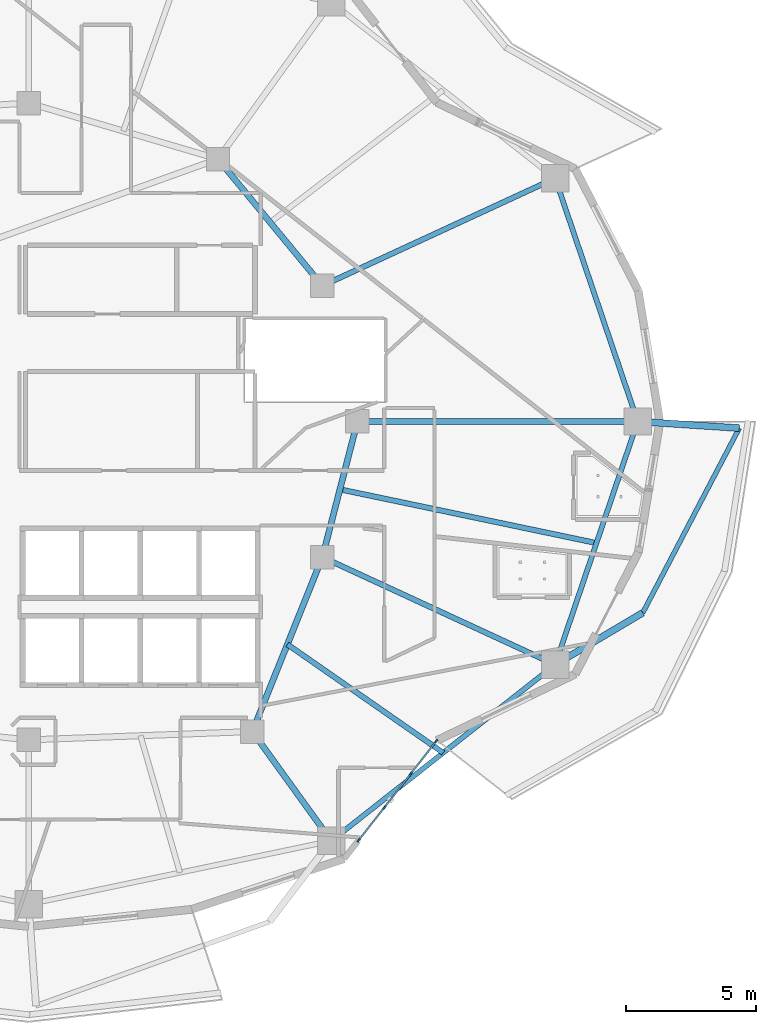
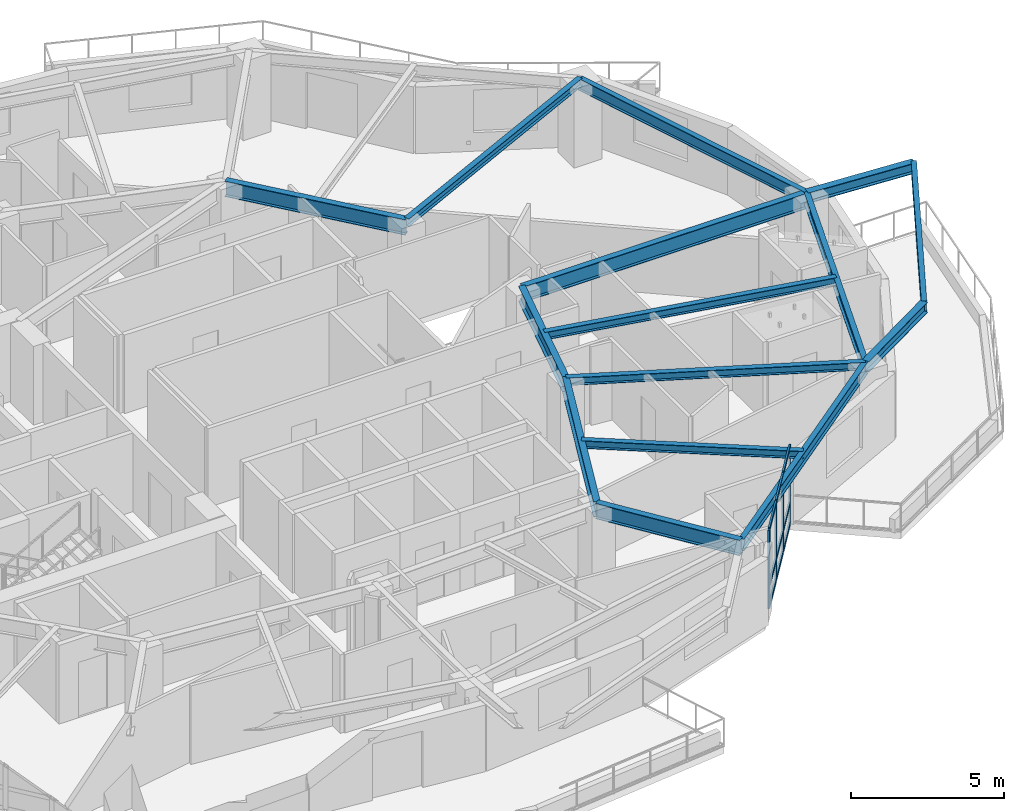
# One storey, part 4 of 18: 15 beams, 13 members, 1 element without a shape of its own.
"""IFC4 building model written with IfcOpenShell, lengths in metres."""

from ifc_helpers import new_model, si_unit, direction, frame, origin, origin_2d, place, context, subcontext, project, spatial, rectangle, i_section, extrude, material, layer, layer_set, material_profile, profile_set, type_object, element, aggregate, save


model = new_model("IFC4")

# Units and contexts
model_context = context("Model", 3, precision=1e-05, world=origin(), true_north=direction((0.0, 1.0)))
body_context = subcontext(model_context, "Body", "Model", "MODEL_VIEW")
ifc_project = project(units=[si_unit("LENGTHUNIT", "METRE"), si_unit("AREAUNIT", "SQUARE_METRE"), si_unit("VOLUMEUNIT", "CUBIC_METRE"), si_unit("PLANEANGLEUNIT", "RADIAN"), si_unit("MASSUNIT", "GRAM", prefix="KILO")], contexts=[model_context])

# Site, building, storey
site_placement = place(None, origin())
site = spatial("IfcSite", under=ifc_project, at=site_placement, CompositionType="ELEMENT")
building_placement = place(site_placement, origin())
building = spatial("IfcBuilding", under=site, at=building_placement, Name="Kolvaren Gate Tower and Convention Centre", CompositionType="ELEMENT")
storey_placement = place(building_placement, frame((0.0, 0.0, 115.5)))
storey = spatial("IfcBuildingStorey", under=building, at=storey_placement, Name="L28", CompositionType="ELEMENT", Elevation=115.5)

# Curtain wall, members
ifc_material_1 = material(Name="Anodized Architectural Aluminium Alloy 6063-T6", Category="aluminium")
ifc_layer = layer(ifc_material_1, 0.159912109375)
ifc_layer_set = layer_set([ifc_layer], Name="Anodized Architectural Aluminium Alloy 6063-T6")
curtain_wall_type = type_object("IfcCurtainWallType", Name="CW-HTL-UNIT", PredefinedType="NOTDEFINED", material=ifc_layer_set)
curtain_wall_placement = place(storey_placement, origin())
curtain_wall = element("IfcCurtainWall", 1, at=curtain_wall_placement, inside=storey, type_object=curtain_wall_type, Name="Tower L28 Unitised Curtain Wall CW-HTL-UNIT Bay 20", PredefinedType="NOTDEFINED")
ifc_material_profile_1 = material_profile(ifc_material_1, rectangle(XDim=0.06494140625, YDim=0.159912109375, at=origin_2d()), Name="CW-MEM-MUL-160")
ifc_profile_set_1 = profile_set([ifc_material_profile_1], Name="Anodized Architectural Aluminium Alloy 6063-T6")
member_type_1 = type_object("IfcMemberType", Name="CW-MEM-MUL-160", PredefinedType="MULLION", material=ifc_profile_set_1)
member_1_placement = place(storey_placement, frame((42.77880859375, 10.957763671875, 0.0), z_axis=(0.0, 0.0, 1.0), x_axis=(-0.787412940513, 0.616425876414, 0.0)))
member_1 = element("IfcMember", 2, at=member_1_placement, type_object=member_type_1, Name="CW-03 mullion 1", PredefinedType="MULLION", context=body_context, shape_type="SweptSolid", body=[
    extrude(rectangle(XDim=0.06494140625, YDim=0.159912109375, at=origin_2d()), origin(), (0.0, 0.0, 1.0), 3.1298828125),
])
member_2_placement = place(storey_placement, frame((43.76220703125, 12.2138671875, 0.0), z_axis=(0.0, 0.0, 1.0), x_axis=(-0.787412940513, 0.616425876414, 0.0)))
member_2 = element("IfcMember", 3, at=member_2_placement, type_object=member_type_1, Name="CW-03 mullion 2", PredefinedType="MULLION", context=body_context, shape_type="SweptSolid", body=[
    extrude(rectangle(XDim=0.06494140625, YDim=0.159912109375, at=origin_2d()), origin(), (0.0, 0.0, 1.0), 3.1298828125),
])
member_3_placement = place(storey_placement, frame((44.765380859375, 13.495361328125, 0.0), z_axis=(0.0, 0.0, 1.0), x_axis=(-0.787412940513, 0.616425876414, 0.0)))
member_3 = element("IfcMember", 4, at=member_3_placement, type_object=member_type_1, Name="CW-03 mullion 3", PredefinedType="MULLION", context=body_context, shape_type="SweptSolid", body=[
    extrude(rectangle(XDim=0.06494140625, YDim=0.159912109375, at=origin_2d()), origin(), (0.0, 0.0, 1.0), 3.1298828125),
])
member_4_placement = place(storey_placement, frame((45.748779296875, 14.75146484375, 0.0), z_axis=(0.0, 0.0, 1.0), x_axis=(-0.787412940513, 0.616425876414, 0.0)))
member_4 = element("IfcMember", 5, at=member_4_placement, type_object=member_type_1, Name="CW-03 mullion 4", PredefinedType="MULLION", context=body_context, shape_type="SweptSolid", body=[
    extrude(rectangle(XDim=0.06494140625, YDim=0.159912109375, at=origin_2d()), origin(), (0.0, 0.0, 1.0), 3.1298828125),
])
ifc_material_profile_2 = material_profile(ifc_material_1, rectangle(XDim=0.06494140625, YDim=0.159912109375, at=origin_2d()), Name="CW-MEM-TRN-160")
ifc_profile_set_2 = profile_set([ifc_material_profile_2], Name="Anodized Architectural Aluminium Alloy 6063-T6")
member_type_2 = type_object("IfcMemberType", Name="CW-MEM-TRN-160", PredefinedType="USERDEFINED", material=ifc_profile_set_2)
member_5_placement = place(storey_placement, frame((42.798828125, 10.9833984375, 0.032470703125), z_axis=(0.616488928006, 0.78736357653, 0.0), x_axis=(-0.78736357653, 0.616488928006, 0.0)))
member_5 = element("IfcMember", 6, at=member_5_placement, type_object=member_type_2, Name="CW-03 transom 1.1", ObjectType="TRANSOM", PredefinedType="USERDEFINED", context=body_context, shape_type="SweptSolid", body=[
    extrude(rectangle(XDim=0.06494140625, YDim=0.159912109375, at=origin_2d()), origin(), (0.0, 0.0, 1.0), 1.5302734375),
])
member_6_placement = place(storey_placement, frame((42.798828125, 10.9833984375, 0.85009765625), z_axis=(0.616488928006, 0.78736357653, 0.0), x_axis=(-0.78736357653, 0.616488928006, 0.0)))
member_6 = element("IfcMember", 7, at=member_6_placement, type_object=member_type_2, Name="CW-03 transom 1.2", ObjectType="TRANSOM", PredefinedType="USERDEFINED", context=body_context, shape_type="SweptSolid", body=[
    extrude(rectangle(XDim=0.06494140625, YDim=0.159912109375, at=origin_2d()), origin(), (0.0, 0.0, 1.0), 1.5302734375),
])
member_7_placement = place(storey_placement, frame((42.798828125, 10.9833984375, 3.097412109375), z_axis=(0.616488928006, 0.78736357653, 0.0), x_axis=(-0.78736357653, 0.616488928006, 0.0)))
member_7 = element("IfcMember", 8, at=member_7_placement, type_object=member_type_2, Name="CW-03 transom 1.3", ObjectType="TRANSOM", PredefinedType="USERDEFINED", context=body_context, shape_type="SweptSolid", body=[
    extrude(rectangle(XDim=0.06494140625, YDim=0.159912109375, at=origin_2d()), origin(), (0.0, 0.0, 1.0), 1.5302734375),
])
member_8_placement = place(storey_placement, frame((43.7822265625, 12.239501953125, 0.032470703125), z_axis=(0.616447292669, 0.787396174337, 0.0), x_axis=(-0.787396174337, 0.616447292669, 0.0)))
member_8 = element("IfcMember", 9, at=member_8_placement, type_object=member_type_2, Name="CW-03 transom 2.1", ObjectType="TRANSOM", PredefinedType="USERDEFINED", context=body_context, shape_type="SweptSolid", body=[
    extrude(rectangle(XDim=0.06494140625, YDim=0.159912109375, at=origin_2d()), origin(), (0.0, 0.0, 1.0), 1.5625),
])
member_9_placement = place(storey_placement, frame((43.7822265625, 12.239501953125, 0.85009765625), z_axis=(0.616447292669, 0.787396174337, 0.0), x_axis=(-0.787396174337, 0.616447292669, 0.0)))
member_9 = element("IfcMember", 10, at=member_9_placement, type_object=member_type_2, Name="CW-03 transom 2.2", ObjectType="TRANSOM", PredefinedType="USERDEFINED", context=body_context, shape_type="SweptSolid", body=[
    extrude(rectangle(XDim=0.06494140625, YDim=0.159912109375, at=origin_2d()), origin(), (0.0, 0.0, 1.0), 1.5625),
])
member_10_placement = place(storey_placement, frame((43.7822265625, 12.239501953125, 3.097412109375), z_axis=(0.616447292669, 0.787396174337, 0.0), x_axis=(-0.787396174337, 0.616447292669, 0.0)))
member_10 = element("IfcMember", 11, at=member_10_placement, type_object=member_type_2, Name="CW-03 transom 2.3", ObjectType="TRANSOM", PredefinedType="USERDEFINED", context=body_context, shape_type="SweptSolid", body=[
    extrude(rectangle(XDim=0.06494140625, YDim=0.159912109375, at=origin_2d()), origin(), (0.0, 0.0, 1.0), 1.5625),
])
member_11_placement = place(storey_placement, frame((44.785400390625, 13.52099609375, 0.032470703125), z_axis=(0.61639000373, 0.78744102211, 0.0), x_axis=(-0.78744102211, 0.61639000373, 0.0)))
member_11 = element("IfcMember", 12, at=member_11_placement, type_object=member_type_2, Name="CW-03 transom 3.1", ObjectType="TRANSOM", PredefinedType="USERDEFINED", context=body_context, shape_type="SweptSolid", body=[
    extrude(rectangle(XDim=0.06494140625, YDim=0.159912109375, at=origin_2d()), origin(), (0.0, 0.0, 1.0), 1.530029296875),
])
member_12_placement = place(storey_placement, frame((44.785400390625, 13.52099609375, 0.85009765625), z_axis=(0.61639000373, 0.78744102211, 0.0), x_axis=(-0.78744102211, 0.61639000373, 0.0)))
member_12 = element("IfcMember", 13, at=member_12_placement, type_object=member_type_2, Name="CW-03 transom 3.2", ObjectType="TRANSOM", PredefinedType="USERDEFINED", context=body_context, shape_type="SweptSolid", body=[
    extrude(rectangle(XDim=0.06494140625, YDim=0.159912109375, at=origin_2d()), origin(), (0.0, 0.0, 1.0), 1.530029296875),
])
member_13_placement = place(storey_placement, frame((44.785400390625, 13.52099609375, 3.097412109375), z_axis=(0.61639000373, 0.78744102211, 0.0), x_axis=(-0.78744102211, 0.61639000373, 0.0)))
member_13 = element("IfcMember", 14, at=member_13_placement, type_object=member_type_2, Name="CW-03 transom 3.3", ObjectType="TRANSOM", PredefinedType="USERDEFINED", context=body_context, shape_type="SweptSolid", body=[
    extrude(rectangle(XDim=0.06494140625, YDim=0.159912109375, at=origin_2d()), origin(), (0.0, 0.0, 1.0), 1.530029296875),
])
aggregate(curtain_wall, [member_1, member_2, member_3, member_4, member_5, member_6, member_7, member_8, member_9, member_10, member_11, member_12, member_13])

# Beams
ifc_material_2 = material(Name="Structural steel ASTM A992 Grade 345 MPa", Category="steel")
ifc_material_profile_3 = material_profile(ifc_material_2, i_section(OverallWidth=0.260009765625, OverallDepth=0.419921875, WebThickness=0.013427734375, FlangeThickness=0.0224609375, at=origin_2d()), Name="W410X132")
ifc_profile_set_3 = profile_set([ifc_material_profile_3], Name="Structural steel ASTM A992 Grade 345 MPa")
beam_type_1 = type_object("IfcBeamType", Name="STR-BM-W410X132", PredefinedType="BEAM", material=ifc_profile_set_3)
for number, where, z_axis, x_axis, name in (
    (15, (50.30029296875, 17.681396484375, 2.92041015625), (0.860390154059, 0.509635931621, 0.0), (-0.509635931621, 0.860390154059, 0.0), "Tower L29 Planted Balcony Outrigger Cantilever BC-4A"),
    (16, (53.46240234375, 27.0, 2.92041015625), (0.997849773417, -0.06554257922, 0.0), (0.06554257922, 0.997849773417, 0.0), "Tower L29 Planted Balcony Outrigger Cantilever BC-4B"),
):
    element("IfcBeam", number, at=place(storey_placement, frame(where, z_axis=z_axis, x_axis=x_axis)), inside=storey, type_object=beam_type_1, Name=name, PredefinedType="BEAM", context=body_context, shape_type="SweptSolid", body=[
        extrude(i_section(OverallWidth=0.260009765625, OverallDepth=0.419921875, WebThickness=0.013427734375, FlangeThickness=0.0224609375, at=origin_2d()), origin(), (0.0, 0.0, 1.0), 3.89990234375),
    ])
ifc_material_profile_4 = material_profile(ifc_material_2, i_section(OverallWidth=0.22998046875, OverallDepth=0.616943359375, WebThickness=0.01318359375, FlangeThickness=0.022216796875, at=origin_2d()), Name="W610X140")
ifc_profile_set_4 = profile_set([ifc_material_profile_4], Name="Structural steel ASTM A992 Grade 345 MPa")
beam_type_2 = type_object("IfcBeamType", Name="STR-BM-W610X140", PredefinedType="BEAM", material=ifc_profile_set_4)
beam_1_placement = place(storey_placement, frame((42.72509765625, 27.0, 2.821533203125), z_axis=(-0.250091133936, -0.968222301296, 0.0), x_axis=(0.968222301296, -0.250091133936, 0.0)))
element("IfcBeam", 17, at=beam_1_placement, inside=storey, type_object=beam_type_2, Name="Tower L28 Primary Ring Girder G-01", PredefinedType="BEAM", context=body_context, shape_type="SweptSolid", body=[
    extrude(i_section(OverallWidth=0.22998046875, OverallDepth=0.616943359375, WebThickness=0.01318359375, FlangeThickness=0.022216796875, at=origin_2d()), origin(), (0.0, 0.0, 1.0), 5.3701171875),
])
beam_2_placement = place(storey_placement, frame((41.382080078125, 32.199462890625, 2.821533203125), z_axis=(-0.635884066011, 0.771784590798, 0.0), x_axis=(-0.771784590798, -0.635884066011, 0.0)))
element("IfcBeam", 18, at=beam_2_placement, inside=storey, type_object=beam_type_2, Name="Tower L28 Primary Ring Girder G-02", PredefinedType="BEAM", context=body_context, shape_type="SweptSolid", body=[
    extrude(i_section(OverallWidth=0.22998046875, OverallDepth=0.616943359375, WebThickness=0.01318359375, FlangeThickness=0.022216796875, at=origin_2d()), origin(), (0.0, 0.0, 1.0), 6.291259765625),
])
beam_3_placement = place(storey_placement, frame((38.6982421875, 15.12060546875, 2.821533203125), z_axis=(0.372811100169, 0.927907260232, 0.0), x_axis=(-0.927907260232, 0.372811100169, 0.0)))
element("IfcBeam", 19, at=beam_3_placement, inside=storey, type_object=beam_type_2, Name="Tower L28 Primary Ring Girder G-09", PredefinedType="BEAM", context=body_context, shape_type="SweptSolid", body=[
    extrude(i_section(OverallWidth=0.22998046875, OverallDepth=0.616943359375, WebThickness=0.01318359375, FlangeThickness=0.022216796875, at=origin_2d()), origin(), (0.0, 0.0, 1.0), 7.198974609375),
])
beam_4_placement = place(storey_placement, frame((42.72509765625, 27.0, 2.821533203125), z_axis=(1.0, 0.0, 0.0), x_axis=(0.0, 1.0, 0.0)))
element("IfcBeam", 20, at=beam_4_placement, inside=storey, type_object=beam_type_2, Name="Tower L28 Radial Floor Girder RB-01", PredefinedType="BEAM", context=body_context, shape_type="SweptSolid", body=[
    extrude(i_section(OverallWidth=0.22998046875, OverallDepth=0.616943359375, WebThickness=0.01318359375, FlangeThickness=0.022216796875, at=origin_2d()), origin(), (0.0, 0.0, 1.0), 10.7373046875),
])
beam_5_placement = place(storey_placement, frame((38.6982421875, 15.12060546875, 2.821533203125), z_axis=(0.585214440031, -0.810878572401, 0.0), x_axis=(0.810878572401, 0.585214440031, 0.0)))
element("IfcBeam", 21, at=beam_5_placement, inside=storey, type_object=beam_type_2, Name="Tower L28 Radial Floor Girder RB-11", PredefinedType="BEAM", context=body_context, shape_type="SweptSolid", body=[
    extrude(i_section(OverallWidth=0.22998046875, OverallDepth=0.616943359375, WebThickness=0.01318359375, FlangeThickness=0.022216796875, at=origin_2d()), origin(), (0.0, 0.0, 1.0), 5.166015625),
])
ifc_material_profile_5 = material_profile(ifc_material_2, i_section(OverallWidth=0.205078125, OverallDepth=0.31005859375, WebThickness=0.009521484375, FlangeThickness=0.016357421875, at=origin_2d()), Name="W310X74")
ifc_profile_set_5 = profile_set([ifc_material_profile_5], Name="Structural steel ASTM A992 Grade 345 MPa")
beam_type_3 = type_object("IfcBeamType", Name="STR-JS-W310X74", PredefinedType="JOIST", material=ifc_profile_set_5)
for number, where, z_axis, x_axis, name in (
    (22, (41.382080078125, 32.199462890625, 2.97509765625), (0.907841510795, 0.419313476146, 0.0), (-0.419313476146, 0.907841510795, 0.0), "Tower L28 Radial Floor Girder RB-02"),
    (23, (41.382080078125, 21.800537109375, 2.97509765625), (0.907841510795, -0.419313476146, 0.0), (0.419313476146, 0.907841510795, 0.0), "Tower L28 Radial Floor Girder RB-12"),
):
    element("IfcBeam", number, at=place(storey_placement, frame(where, z_axis=z_axis, x_axis=x_axis)), inside=storey, type_object=beam_type_3, Name=name, PredefinedType="JOIST", context=body_context, shape_type="SweptSolid", body=[
        extrude(i_section(OverallWidth=0.205078125, OverallDepth=0.31005859375, WebThickness=0.009521484375, FlangeThickness=0.016357421875, at=origin_2d()), origin(), (0.0, 0.0, 1.0), 9.823486328125),
    ])
beam_6_placement = place(storey_placement, frame((40.040283203125, 18.46044921875, 2.97509765625), z_axis=(0.820871677882, -0.571112675792, 0.0), x_axis=(0.571112675792, 0.820871677882, 0.0)))
element("IfcBeam", 24, at=beam_6_placement, inside=storey, type_object=beam_type_3, Name="Tower L28 Secondary Composite Floor Joist J-11.1", PredefinedType="JOIST", context=body_context, shape_type="SweptSolid", body=[
    extrude(i_section(OverallWidth=0.205078125, OverallDepth=0.31005859375, WebThickness=0.009521484375, FlangeThickness=0.016357421875, at=origin_2d()), origin(), (0.0, 0.0, 1.0), 7.273681640625),
])
beam_7_placement = place(storey_placement, frame((42.0537109375, 24.400146484375, 2.97509765625), z_axis=(0.978743091795, -0.205090127175, 0.0), x_axis=(0.205090127175, 0.978743091795, 0.0)))
element("IfcBeam", 25, at=beam_7_placement, inside=storey, type_object=beam_type_3, Name="Tower L28 Secondary Composite Floor Joist J-12.1", PredefinedType="JOIST", context=body_context, shape_type="SweptSolid", body=[
    extrude(i_section(OverallWidth=0.205078125, OverallDepth=0.31005859375, WebThickness=0.009521484375, FlangeThickness=0.016357421875, at=origin_2d()), origin(), (0.0, 0.0, 1.0), 10.041015625),
])
ifc_material_profile_6 = material_profile(ifc_material_2, i_section(OverallWidth=0.180908203125, OverallDepth=0.4169921875, WebThickness=0.010986328125, FlangeThickness=0.018310546875, at=origin_2d()), Name="W410X85")
ifc_profile_set_6 = profile_set([ifc_material_profile_6], Name="Structural steel ASTM A992 Grade 345 MPa")
beam_type_4 = type_object("IfcBeamType", Name="STR-SP-W410X85", PredefinedType="SPANDREL", material=ifc_profile_set_6)
beam_8_placement = place(storey_placement, frame((53.65576171875, 19.6689453125, 2.922119140625), z_axis=(0.463226370738, 0.886239995403, 0.0), x_axis=(-0.886239995403, 0.463226370738, 0.0)))
element("IfcBeam", 26, at=beam_8_placement, inside=storey, type_object=beam_type_4, Name="Tower L29 Planted Balcony Header Tie Beam BT-4", PredefinedType="SPANDREL", context=body_context, shape_type="SweptSolid", body=[
    extrude(i_section(OverallWidth=0.180908203125, OverallDepth=0.4169921875, WebThickness=0.010986328125, FlangeThickness=0.018310546875, at=origin_2d()), origin(), (0.0, 0.0, 1.0), 7.983642578125),
])
ifc_material_profile_7 = material_profile(ifc_material_2, i_section(OverallWidth=0.194091796875, OverallDepth=0.468994140625, WebThickness=0.0126953125, FlangeThickness=0.0205078125, at=origin_2d()), Name="W460X106")
ifc_profile_set_7 = profile_set([ifc_material_profile_7], Name="Structural steel ASTM A992 Grade 345 MPa")
beam_type_5 = type_object("IfcBeamType", Name="STR-SP-W460X106", PredefinedType="SPANDREL", material=ifc_profile_set_7)
beam_9_placement = place(storey_placement, frame((53.46240234375, 27.0, 2.8955078125), z_axis=(-0.321336471485, 0.946965084939, 0.0), x_axis=(-0.946965084939, -0.321336471485, 0.0)))
element("IfcBeam", 27, at=beam_9_placement, inside=storey, type_object=beam_type_5, Name="Tower L28 Perimeter Spandrel Beam SP-01", PredefinedType="SPANDREL", context=body_context, shape_type="SweptSolid", body=[
    extrude(i_section(OverallWidth=0.194091796875, OverallDepth=0.468994140625, WebThickness=0.0126953125, FlangeThickness=0.0205078125, at=origin_2d()), origin(), (0.0, 0.0, 1.0), 9.840576171875),
])
beam_10_placement = place(storey_placement, frame((41.721435546875, 10.931640625, 2.8955078125), z_axis=(0.785907610354, 0.618343939881, 0.0), x_axis=(-0.618343939881, 0.785907610354, 0.0)))
element("IfcBeam", 28, at=beam_10_placement, inside=storey, type_object=beam_type_5, Name="Tower L28 Perimeter Spandrel Beam SP-11", PredefinedType="SPANDREL", context=body_context, shape_type="SweptSolid", body=[
    extrude(i_section(OverallWidth=0.194091796875, OverallDepth=0.468994140625, WebThickness=0.0126953125, FlangeThickness=0.0205078125, at=origin_2d()), origin(), (0.0, 0.0, 1.0), 10.915771484375),
])
beam_11_placement = place(storey_placement, frame((50.30029296875, 17.681396484375, 2.8955078125), z_axis=(0.321336471485, 0.946965084939, 0.0), x_axis=(-0.946965084939, 0.321336471485, 0.0)))
element("IfcBeam", 29, at=beam_11_placement, inside=storey, type_object=beam_type_5, Name="Tower L28 Perimeter Spandrel Beam SP-12", PredefinedType="SPANDREL", context=body_context, shape_type="SweptSolid", body=[
    extrude(i_section(OverallWidth=0.194091796875, OverallDepth=0.468994140625, WebThickness=0.0126953125, FlangeThickness=0.0205078125, at=origin_2d()), origin(), (0.0, 0.0, 1.0), 9.840576171875),
])

save(model, "model.ifc")
